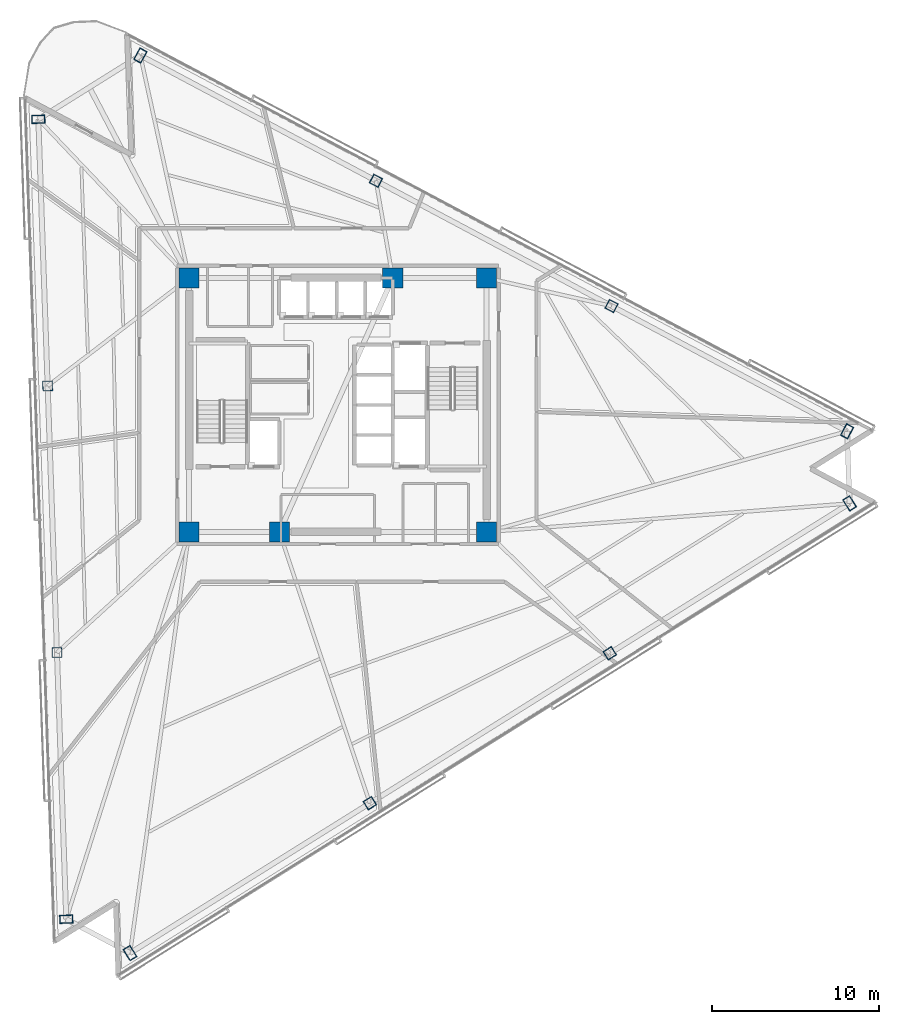
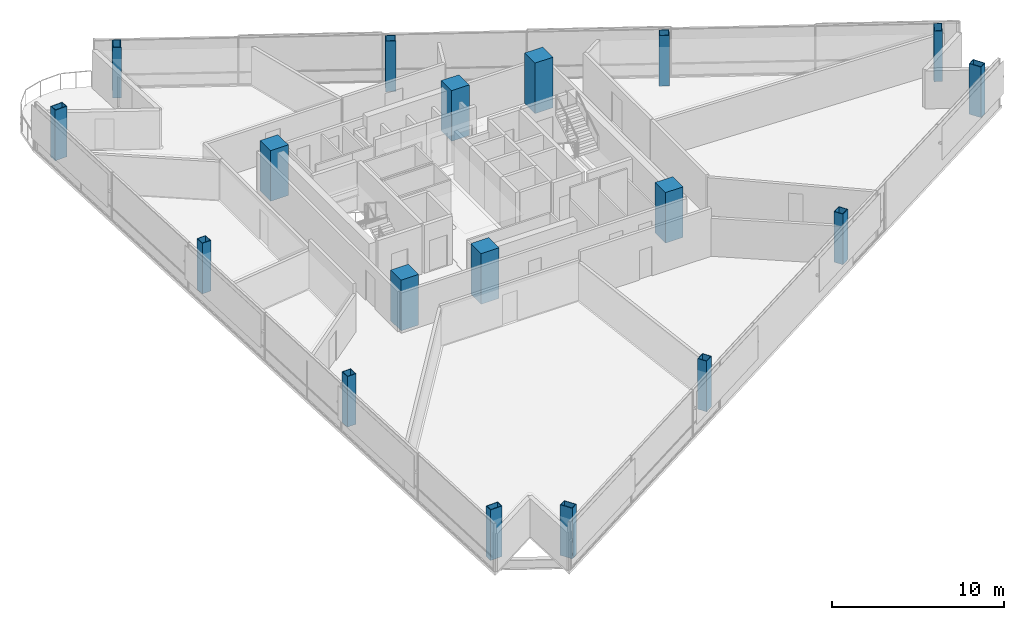
# One storey, part 1 of 20: 18 columns.
"""IFC4 building model written with IfcOpenShell, lengths in metres."""

from ifc_helpers import new_model, si_unit, direction, frame, origin, origin_2d, place, context, subcontext, project, spatial, rectangle, hollow_rectangle, extrude, material, material_profile, profile_set, type_object, element, save


model = new_model("IFC4")

# Units and contexts
model_context = context("Model", 3, precision=1e-05, world=origin(), true_north=direction((0.0, 1.0)))
body_context = subcontext(model_context, "Body", "Model", "MODEL_VIEW")
ifc_project = project(units=[si_unit("LENGTHUNIT", "METRE"), si_unit("AREAUNIT", "SQUARE_METRE"), si_unit("VOLUMEUNIT", "CUBIC_METRE"), si_unit("PLANEANGLEUNIT", "RADIAN"), si_unit("MASSUNIT", "GRAM", prefix="KILO")], contexts=[model_context])

# Site, building, storey
site_placement = place(None, origin())
site = spatial("IfcSite", under=ifc_project, at=site_placement, CompositionType="ELEMENT")
building_placement = place(site_placement, origin())
building = spatial("IfcBuilding", under=site, at=building_placement, Name="Tharavind Bronze Gate", CompositionType="ELEMENT")
storey_placement = place(building_placement, frame((0.0, 0.0, 146.0)))
storey = spatial("IfcBuildingStorey", under=building, at=storey_placement, Name="L37", CompositionType="ELEMENT", Elevation=146.0)

# Columns
ifc_material_1 = material(Name="Steel S460", Category="steel")
ifc_material_profile_1 = material_profile(ifc_material_1, hollow_rectangle(XDim=0.5, YDim=0.800048828125, WallThickness=0.0400390625, at=origin_2d()), Name="RHS800X500X40")
ifc_profile_set_1 = profile_set([ifc_material_profile_1], Name="Steel S460")
column_type_1 = type_object("IfcColumnType", Name="CORNER NOTCH COLUMN RHS800X500", PredefinedType="COLUMN", material=ifc_profile_set_1)
for number, where, z_axis, x_axis, name in (
    (1, (-17.9248046875, 17.09228515625, 0.0), (0.0, 0.0, 1.0), (-0.034899496703, 0.999390827019, 0.0), "L37 perimeter column S1C1"),
    (2, (-16.253662109375, -30.767578125, 0.0), (0.0, 0.0, 1.0), (-0.034899496703, 0.999390827019, 0.0), "L37 perimeter column S1C4"),
    (3, (-12.439208984375, -32.7958984375, 0.0), (0.0, 0.0, 1.0), (0.848047171272, 0.529920744356, 0.0), "L37 perimeter column S2C1"),
    (4, (30.615478515625, -5.89208984375, 0.0), (0.0, 0.0, 1.0), (0.848047171272, 0.529920744356, 0.0), "L37 perimeter column S2C4"),
    (5, (30.46484375, -1.57470703125, 0.0), (0.0, 0.0, 1.0), (-0.88294841224, 0.469470021751, 0.0), "L37 perimeter column S3C1"),
    (6, (-11.819091796875, 20.90771484375, 0.0), (0.0, 0.0, 1.0), (-0.88294841224, 0.469470021751, 0.0), "L37 perimeter column S3C4"),
):
    element("IfcColumn", number, at=place(storey_placement, frame(where, z_axis=z_axis, x_axis=x_axis)), inside=storey, type_object=column_type_1, Name=name, PredefinedType="COLUMN", context=body_context, shape_type="SweptSolid", body=[
        extrude(hollow_rectangle(XDim=0.5, YDim=0.800048828125, WallThickness=0.0400390625, at=origin_2d()), origin(), (0.0, 0.0, 1.0), 3.60009765625),
    ])
ifc_material_2 = material(Name="Concrete C60/75", Category="concrete")
ifc_material_profile_2 = material_profile(ifc_material_2, rectangle(XDim=1.199951171875, YDim=1.199951171875, at=origin_2d()), Name="RCCOL1200")
ifc_profile_set_2 = profile_set([ifc_material_profile_2], Name="Concrete C60/75")
column_type_2 = type_object("IfcColumnType", Name="MEGA CORE COLUMN 1200", PredefinedType="COLUMN", material=ifc_profile_set_2)
for number, where, z_axis, x_axis, name in (
    (7, (-8.89990234375, -7.60009765625, 0.0), (0.0, 0.0, 1.0), (1.0, 0.0, 0.0), "L37 core mega column MC1"),
    (8, (-3.5, -7.60009765625, 0.0), (0.0, 0.0, 1.0), (1.0, 0.0, 0.0), "L37 core mega column MC2"),
    (9, (8.89990234375, -7.60009765625, 0.0), (0.0, 0.0, 1.0), (1.0, 0.0, 0.0), "L37 core mega column MC3"),
    (10, (8.89990234375, 7.60009765625, 0.0), (0.0, 0.0, 1.0), (1.0, 0.0, 0.0), "L37 core mega column MC4"),
    (11, (3.280029296875, 7.60009765625, 0.0), (0.0, 0.0, 1.0), (1.0, 0.0, 0.0), "L37 core mega column MC5"),
    (12, (-8.89990234375, 7.60009765625, 0.0), (0.0, 0.0, 1.0), (1.0, 0.0, 0.0), "L37 core mega column MC6"),
):
    element("IfcColumn", number, at=place(storey_placement, frame(where, z_axis=z_axis, x_axis=x_axis)), inside=storey, type_object=column_type_2, Name=name, PredefinedType="COLUMN", context=body_context, shape_type="SweptSolid", body=[
        extrude(rectangle(XDim=1.199951171875, YDim=1.199951171875, at=origin_2d()), origin(), (0.0, 0.0, 1.0), 3.60009765625),
    ])
ifc_material_profile_3 = material_profile(ifc_material_1, hollow_rectangle(XDim=0.60009765625, YDim=0.60009765625, WallThickness=0.035888671875, at=origin_2d()), Name="SHS600X36")
ifc_profile_set_3 = profile_set([ifc_material_profile_3], Name="Steel S460")
column_type_3 = type_object("IfcColumnType", Name="PERIMETER BOX COLUMN SHS600", PredefinedType="COLUMN", material=ifc_profile_set_3)
for number, where, z_axis, x_axis, name in (
    (13, (-17.367919921875, 1.138916015625, 0.0), (0.0, 0.0, 1.0), (-0.034899496703, 0.999390827019, 0.0), "L37 perimeter column S1C2"),
    (14, (-16.810791015625, -14.814208984375, 0.0), (0.0, 0.0, 1.0), (-0.034899496703, 0.999390827019, 0.0), "L37 perimeter column S1C3"),
    (15, (1.912353515625, -23.827880859375, 0.0), (0.0, 0.0, 1.0), (0.848047171272, 0.529920744356, 0.0), "L37 perimeter column S2C2"),
    (16, (16.263916015625, -14.860107421875, 0.0), (0.0, 0.0, 1.0), (0.848047171272, 0.529920744356, 0.0), "L37 perimeter column S2C3"),
    (17, (16.3701171875, 5.91943359375, 0.0), (0.0, 0.0, 1.0), (-0.88294841224, 0.469470021751, 0.0), "L37 perimeter column S3C2"),
    (18, (2.275634765625, 13.41357421875, 0.0), (0.0, 0.0, 1.0), (-0.88294841224, 0.469470021751, 0.0), "L37 perimeter column S3C3"),
):
    element("IfcColumn", number, at=place(storey_placement, frame(where, z_axis=z_axis, x_axis=x_axis)), inside=storey, type_object=column_type_3, Name=name, PredefinedType="COLUMN", context=body_context, shape_type="SweptSolid", body=[
        extrude(hollow_rectangle(XDim=0.60009765625, YDim=0.60009765625, WallThickness=0.035888671875, at=origin_2d()), origin(), (0.0, 0.0, 1.0), 3.60009765625),
    ])

save(model, "model.ifc")
